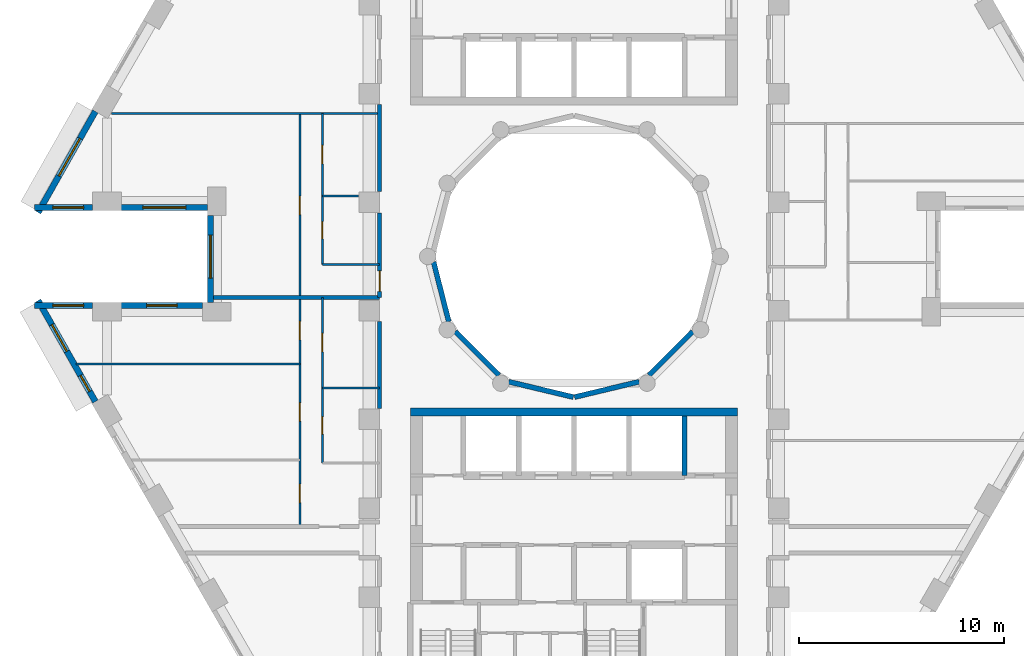
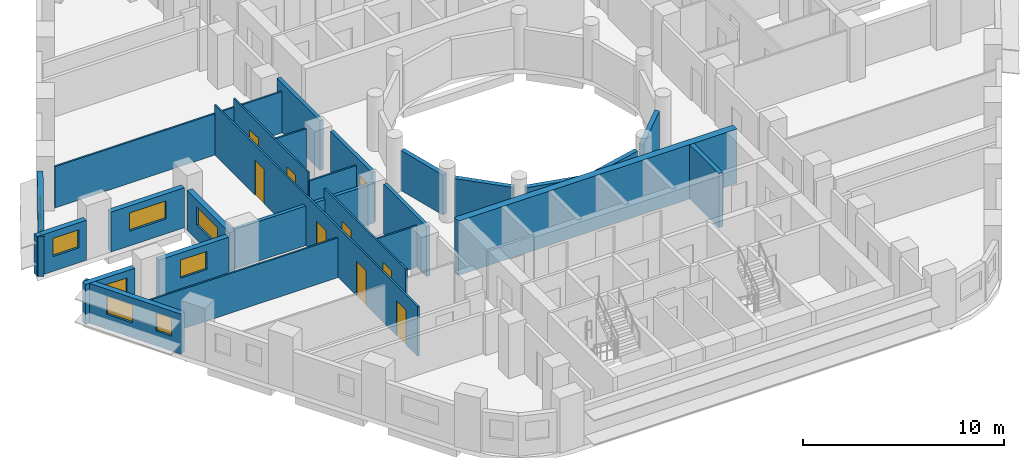
# One storey, part 4 of 12: 26 walls, 9 doors, 8 windows, 17 openings.
"""IFC4 building model written with IfcOpenShell, lengths in metres."""

from ifc_helpers import new_model, si_unit, direction, frame, frame_2d, origin, place, context, subcontext, project, spatial, rectangle, extrude, material, layer, layer_set, type_object, element, fill, save


model = new_model("IFC4")

# Units and contexts
model_context = context("Model", 3, precision=1e-05, world=origin(), true_north=direction((0.0, 1.0)))
body_context = subcontext(model_context, "Body", "Model", "MODEL_VIEW")
ifc_project = project(units=[si_unit("LENGTHUNIT", "METRE"), si_unit("AREAUNIT", "SQUARE_METRE"), si_unit("VOLUMEUNIT", "CUBIC_METRE"), si_unit("PLANEANGLEUNIT", "RADIAN"), si_unit("MASSUNIT", "GRAM", prefix="KILO")], contexts=[model_context])

# Site, building, storey
site_placement = place(None, origin())
site = spatial("IfcSite", under=ifc_project, at=site_placement, CompositionType="ELEMENT")
building_placement = place(site_placement, origin())
building = spatial("IfcBuilding", under=site, at=building_placement, Name="Nakaniwa Court", CompositionType="ELEMENT")
storey_placement = place(building_placement, frame((0.0, 0.0, 100.800048828125)))
storey = spatial("IfcBuildingStorey", under=building, at=storey_placement, Name="L26", CompositionType="ELEMENT", Elevation=100.800048828125)

# Wall
ifc_material_1 = material(Name="Acoustic double stud partition")
ifc_layer_1 = layer(ifc_material_1, 0.199951171875)
ifc_layer_set_1 = layer_set([ifc_layer_1], Name="Acoustic double stud partition")
wall_type_1 = type_object("IfcWallType", Name="Acoustic double stud partition 200", PredefinedType="PARTITIONING", material=ifc_layer_set_1)
wall_1_placement = place(storey_placement, frame((70.5, 72.56689453125, 0.0), z_axis=(0.0, 0.0, 1.0), x_axis=(0.0, 1.0, 0.0)))
element("IfcWall", 1, at=wall_1_placement, inside=storey, type_object=wall_type_1, Name="Partition PW-101", PredefinedType="PARTITIONING", context=body_context, shape_type="SweptSolid", body=[
    extrude(rectangle(XDim=4.26611328125, YDim=0.199951171875, at=frame_2d((2.133056640625, 0.0))), origin(), (0.0, 0.0, 1.0), 3.02490234375),
])

# Wall, opening, door
wall_2_placement = place(storey_placement, frame((70.5, 77.9970703125, 0.0), z_axis=(0.0, 0.0, 1.0), x_axis=(0.0, 1.0, 0.0)))
wall_2 = element("IfcWall", 2, at=wall_2_placement, inside=storey, type_object=wall_type_1, Name="Partition PW-102", PredefinedType="PARTITIONING", context=body_context, shape_type="SweptSolid", body=[
    extrude(rectangle(XDim=4.135986328125, YDim=0.199951171875, at=frame_2d((2.06787109375, 0.0))), origin(), (0.0, 0.0, 1.0), 3.02490234375),
])
opening_1_placement = place(wall_2_placement, frame((0.302978515625, 0.0, 0.0)))
opening_1 = element("IfcOpeningElement", 3, at=opening_1_placement, cuts=wall_2, Name="Opening D-01-03", PredefinedType="OPENING", context=body_context, shape_type="SweptSolid", body=[
    extrude(rectangle(XDim=1.0, YDim=2.10009765625, at=frame_2d((0.5, 1.050048828125))), frame((0.0, 0.10986328125, 0.0), z_axis=(0.0, -1.0, 0.0), x_axis=(1.0, 0.0, 0.0)), (0.0, 0.0, 1.0), 0.219970703125),
])
ifc_material_2 = material(Name="Solid core timber door set, black veneer", Category="wood")
door_type_1 = type_object("IfcDoorType", Name="Flat entrance door 1000", OperationType="NOTDEFINED", PredefinedType="DOOR", material=ifc_material_2)
door_1_placement = place(opening_1_placement, origin())
door_1 = element("IfcDoor", 4, at=door_1_placement, inside=storey, type_object=door_type_1, Name="Door D-01-03 L26-042", OperationType="SINGLE_SWING_LEFT", OverallHeight=2.10009765625, OverallWidth=1.0, PredefinedType="DOOR", context=body_context, shape_type="SweptSolid", body=[
    extrude(rectangle(XDim=1.0, YDim=2.10009765625, at=frame_2d((0.5, 1.050048828125))), frame((0.0, 0.02490234375, 0.0), z_axis=(0.0, -1.0, 0.0), x_axis=(1.0, 0.0, 0.0)), (0.0, 0.0, 1.0), 0.050048828125),
])
fill(opening_1, door_1)

# Walls
wall_3_placement = place(storey_placement, frame((70.5, 83.1669921875, 0.0), z_axis=(0.0, 0.0, 1.0), x_axis=(0.0, 1.0, 0.0)))
element("IfcWall", 5, at=wall_3_placement, inside=storey, type_object=wall_type_1, Name="Partition PW-103", PredefinedType="PARTITIONING", context=body_context, shape_type="SweptSolid", body=[
    extrude(rectangle(XDim=4.26611328125, YDim=0.199951171875, at=frame_2d((2.133056640625, 0.0))), origin(), (0.0, 0.0, 1.0), 3.02490234375),
])
wall_4_placement = place(storey_placement, frame((62.3916015625, 78.0, 0.0), z_axis=(0.0, 0.0, 1.0), x_axis=(1.0, 0.0, 0.0)))
element("IfcWall", 6, at=wall_4_placement, inside=storey, type_object=wall_type_1, Name="Partition PW-122", PredefinedType="PARTITIONING", context=body_context, shape_type="SweptSolid", body=[
    extrude(rectangle(XDim=8.1083984375, YDim=0.199951171875, at=frame_2d((4.05419921875, 0.0))), origin(), (0.0, 0.0, 1.0), 2.405029296875),
])

# Wall, opening, window
ifc_material_3 = material(Name="Charcoal ceramic cladding")
ifc_layer_2 = layer(ifc_material_3, 0.02, Name="Ceramic cladding")
ifc_material_4 = material(Name="Ventilated air cavity")
ifc_layer_3 = layer(ifc_material_4, 0.04, ventilated=True, Name="Ventilated cavity")
ifc_material_5 = material(Name="Mineral wool insulation")
ifc_layer_4 = layer(ifc_material_5, 0.1, Name="Insulation")
ifc_material_6 = material(Name="Cement bonded sheathing board")
ifc_layer_5 = layer(ifc_material_6, 0.012, Name="Sheathing")
ifc_material_7 = material(Name="Cold-formed galvanised stud frame with mineral wool infill")
ifc_layer_6 = layer(ifc_material_7, 0.1, Name="Stud frame")
ifc_material_8 = material(Name="Fire-rated gypsum plasterboard lining")
ifc_layer_7 = layer(ifc_material_8, 0.028, Name="Lining")
ifc_layer_set_2 = layer_set([ifc_layer_2, ifc_layer_3, ifc_layer_4, ifc_layer_5, ifc_layer_6, ifc_layer_7], Name="Charcoal ceramic faced external wall system")
wall_type_2 = type_object("IfcWallType", Name="Black ceramic faced external wall 300", PredefinedType="SOLIDWALL", material=ifc_layer_set_2)
wall_5_placement = place(storey_placement, frame((56.609375, 87.09375, 0.0), z_axis=(0.0, 0.0, 1.0), x_axis=(-0.492456858874, -0.870336855561, 0.0)))
wall_5 = element("IfcWall", 7, at=wall_5_placement, inside=storey, type_object=wall_type_2, Name="L26 external wall 14", PredefinedType="SOLIDWALL", context=body_context, shape_type="SweptSolid", body=[
    extrude(rectangle(XDim=5.676513671875, YDim=0.300048828125, at=frame_2d((2.83837890625, 0.0))), origin(), (0.0, 0.0, 1.0), 2.425048828125),
])
opening_2_placement = place(wall_5_placement, frame((1.52490234375, 0.0, 0.89990234375)))
opening_2 = element("IfcOpeningElement", 8, at=opening_2_placement, cuts=wall_5, Name="Opening W7.15", PredefinedType="OPENING", context=body_context, shape_type="SweptSolid", body=[
    extrude(rectangle(XDim=2.10009765625, YDim=1.10009765625, at=frame_2d((1.050048828125, 0.550048828125))), frame((0.0, 0.159912109375, 0.0), z_axis=(0.0, -1.0, 0.0), x_axis=(1.0, 0.0, 0.0)), (0.0, 0.0, 1.0), 0.320068359375),
])
ifc_material_9 = material(Name="Black anodised aluminium frame with dark low-E laminated double glazing", Category="aluminium")
window_type_1 = type_object("IfcWindowType", Name="Dark glass window 2100x1100 sill 900", PartitioningType="SINGLE_PANEL", PredefinedType="WINDOW", material=ifc_material_9)
window_1_placement = place(opening_2_placement, origin())
window_1 = element("IfcWindow", 9, at=window_1_placement, inside=storey, type_object=window_type_1, Name="L26 living window 14-0", OverallHeight=1.10009765625, OverallWidth=2.10009765625, PartitioningType="SINGLE_PANEL", PredefinedType="WINDOW", context=body_context, shape_type="SweptSolid", body=[
    extrude(rectangle(XDim=2.10009765625, YDim=1.10009765625, at=frame_2d((1.050048828125, 0.550048828125))), frame((0.0, 0.030029296875, 0.0), z_axis=(0.0, -1.0, 0.0), x_axis=(1.0, 0.0, 0.0)), (0.0, 0.0, 1.0), 0.06005859375),
])
fill(opening_2, window_1)

wall_6_placement = place(storey_placement, frame((53.643310546875, 82.39990234375, 0.0), z_axis=(0.0, 0.0, 1.0), x_axis=(1.0, 0.0, 0.0)))
wall_6 = element("IfcWall", 10, at=wall_6_placement, inside=storey, type_object=wall_type_2, Name="L26 external wall 15", PredefinedType="SOLIDWALL", context=body_context, shape_type="SweptSolid", body=[
    extrude(rectangle(XDim=2.837890625, YDim=0.300048828125, at=frame_2d((1.4189453125, 0.0))), origin(), (0.0, 0.0, 1.0), 2.425048828125),
])
opening_3_placement = place(wall_6_placement, frame((0.893798828125, 0.0, 0.89990234375)))
opening_3 = element("IfcOpeningElement", 11, at=opening_3_placement, cuts=wall_6, Name="Opening W5.16", PredefinedType="OPENING", context=body_context, shape_type="SweptSolid", body=[
    extrude(rectangle(XDim=1.5, YDim=1.10009765625, at=frame_2d((0.75, 0.550048828125))), frame((0.0, 0.159912109375, 0.0), z_axis=(0.0, -1.0, 0.0), x_axis=(1.0, 0.0, 0.0)), (0.0, 0.0, 1.0), 0.320068359375),
])
window_type_2 = type_object("IfcWindowType", Name="Dark glass window 1500x1100 sill 900", PartitioningType="SINGLE_PANEL", PredefinedType="WINDOW", material=ifc_material_9)
window_2_placement = place(opening_3_placement, origin())
window_2 = element("IfcWindow", 12, at=window_2_placement, inside=storey, type_object=window_type_2, Name="L26 living window 15-0", OverallHeight=1.10009765625, OverallWidth=1.5, PartitioningType="SINGLE_PANEL", PredefinedType="WINDOW", context=body_context, shape_type="SweptSolid", body=[
    extrude(rectangle(XDim=1.5, YDim=1.10009765625, at=frame_2d((0.75, 0.550048828125))), frame((0.0, 0.030029296875, 0.0), z_axis=(0.0, -1.0, 0.0), x_axis=(1.0, 0.0, 0.0)), (0.0, 0.0, 1.0), 0.06005859375),
])
fill(opening_3, window_2)

wall_7_placement = place(storey_placement, frame((57.873046875, 82.39990234375, 0.0), z_axis=(0.0, 0.0, 1.0), x_axis=(1.0, 0.0, 0.0)))
wall_7 = element("IfcWall", 13, at=wall_7_placement, inside=storey, type_object=wall_type_2, Name="L26 external wall 16", PredefinedType="SOLIDWALL", context=body_context, shape_type="SweptSolid", body=[
    extrude(rectangle(XDim=4.22265625, YDim=0.300048828125, at=frame_2d((2.111328125, 0.0))), origin(), (0.0, 0.0, 1.0), 2.425048828125),
])
opening_4_placement = place(wall_7_placement, frame((1.061279296875, 0.0, 0.89990234375)))
opening_4 = element("IfcOpeningElement", 14, at=opening_4_placement, cuts=wall_7, Name="Opening W7.17", PredefinedType="OPENING", context=body_context, shape_type="SweptSolid", body=[
    extrude(rectangle(XDim=2.10009765625, YDim=1.10009765625, at=frame_2d((1.050048828125, 0.550048828125))), frame((0.0, 0.159912109375, 0.0), z_axis=(0.0, -1.0, 0.0), x_axis=(1.0, 0.0, 0.0)), (0.0, 0.0, 1.0), 0.320068359375),
])
window_3_placement = place(opening_4_placement, origin())
window_3 = element("IfcWindow", 15, at=window_3_placement, inside=storey, type_object=window_type_1, Name="L26 living window 16-0", OverallHeight=1.10009765625, OverallWidth=2.10009765625, PartitioningType="SINGLE_PANEL", PredefinedType="WINDOW", context=body_context, shape_type="SweptSolid", body=[
    extrude(rectangle(XDim=2.10009765625, YDim=1.10009765625, at=frame_2d((1.050048828125, 0.550048828125))), frame((0.0, 0.030029296875, 0.0), z_axis=(0.0, -1.0, 0.0), x_axis=(1.0, 0.0, 0.0)), (0.0, 0.0, 1.0), 0.06005859375),
])
fill(opening_4, window_3)

wall_8_placement = place(storey_placement, frame((62.24169921875, 82.00390625, 0.0), z_axis=(0.0, 0.0, 1.0), x_axis=(0.0, -1.0, 0.0)))
wall_8 = element("IfcWall", 16, at=wall_8_placement, inside=storey, type_object=wall_type_2, Name="L26 external wall 17", PredefinedType="SOLIDWALL", context=body_context, shape_type="SweptSolid", body=[
    extrude(rectangle(XDim=4.2578125, YDim=0.300048828125, at=frame_2d((2.12890625, 0.0))), origin(), (0.0, 0.0, 1.0), 2.425048828125),
])
opening_5_placement = place(wall_8_placement, frame((0.964111328125, 0.0, 0.89990234375)))
opening_5 = element("IfcOpeningElement", 17, at=opening_5_placement, cuts=wall_8, Name="Opening W7.18", PredefinedType="OPENING", context=body_context, shape_type="SweptSolid", body=[
    extrude(rectangle(XDim=2.10009765625, YDim=1.10009765625, at=frame_2d((1.050048828125, 0.550048828125))), frame((0.0, 0.159912109375, 0.0), z_axis=(0.0, -1.0, 0.0), x_axis=(1.0, 0.0, 0.0)), (0.0, 0.0, 1.0), 0.320068359375),
])
window_4_placement = place(opening_5_placement, origin())
window_4 = element("IfcWindow", 18, at=window_4_placement, inside=storey, type_object=window_type_1, Name="L26 living window 17-0", OverallHeight=1.10009765625, OverallWidth=2.10009765625, PartitioningType="SINGLE_PANEL", PredefinedType="WINDOW", context=body_context, shape_type="SweptSolid", body=[
    extrude(rectangle(XDim=2.10009765625, YDim=1.10009765625, at=frame_2d((1.050048828125, 0.550048828125))), frame((0.0, 0.030029296875, 0.0), z_axis=(0.0, -1.0, 0.0), x_axis=(1.0, 0.0, 0.0)), (0.0, 0.0, 1.0), 0.06005859375),
])
fill(opening_5, window_4)

wall_9_placement = place(storey_placement, frame((61.845703125, 77.60009765625, 0.0), z_axis=(0.0, 0.0, 1.0), x_axis=(-1.0, 0.0, 0.0)))
wall_9 = element("IfcWall", 19, at=wall_9_placement, inside=storey, type_object=wall_type_2, Name="L26 external wall 18", PredefinedType="SOLIDWALL", context=body_context, shape_type="SweptSolid", body=[
    extrude(rectangle(XDim=3.97265625, YDim=0.300048828125, at=frame_2d((1.986328125, 0.0))), origin(), (0.0, 0.0, 1.0), 2.425048828125),
])
opening_6_placement = place(wall_9_placement, frame((1.236328125, 0.0, 0.89990234375)))
opening_6 = element("IfcOpeningElement", 20, at=opening_6_placement, cuts=wall_9, Name="Opening W5.19", PredefinedType="OPENING", context=body_context, shape_type="SweptSolid", body=[
    extrude(rectangle(XDim=1.5, YDim=1.10009765625, at=frame_2d((0.75, 0.550048828125))), frame((0.0, 0.159912109375, 0.0), z_axis=(0.0, -1.0, 0.0), x_axis=(1.0, 0.0, 0.0)), (0.0, 0.0, 1.0), 0.320068359375),
])
window_5_placement = place(opening_6_placement, origin())
window_5 = element("IfcWindow", 21, at=window_5_placement, inside=storey, type_object=window_type_2, Name="L26 bedroom window 18-0", OverallHeight=1.10009765625, OverallWidth=1.5, PartitioningType="SINGLE_PANEL", PredefinedType="WINDOW", context=body_context, shape_type="SweptSolid", body=[
    extrude(rectangle(XDim=1.5, YDim=1.10009765625, at=frame_2d((0.75, 0.550048828125))), frame((0.0, 0.030029296875, 0.0), z_axis=(0.0, -1.0, 0.0), x_axis=(1.0, 0.0, 0.0)), (0.0, 0.0, 1.0), 0.06005859375),
])
fill(opening_6, window_5)

wall_10_placement = place(storey_placement, frame((56.481201171875, 77.60009765625, 0.0), z_axis=(0.0, 0.0, 1.0), x_axis=(-1.0, 0.0, 0.0)))
wall_10 = element("IfcWall", 22, at=wall_10_placement, inside=storey, type_object=wall_type_2, Name="L26 external wall 19", PredefinedType="SOLIDWALL", context=body_context, shape_type="SweptSolid", body=[
    extrude(rectangle(XDim=2.837890625, YDim=0.300048828125, at=frame_2d((1.4189453125, 0.0))), origin(), (0.0, 0.0, 1.0), 2.425048828125),
])
opening_7_placement = place(wall_10_placement, frame((0.44384765625, 0.0, 0.89990234375)))
opening_7 = element("IfcOpeningElement", 23, at=opening_7_placement, cuts=wall_10, Name="Opening W5.20", PredefinedType="OPENING", context=body_context, shape_type="SweptSolid", body=[
    extrude(rectangle(XDim=1.5, YDim=1.10009765625, at=frame_2d((0.75, 0.550048828125))), frame((0.0, 0.159912109375, 0.0), z_axis=(0.0, -1.0, 0.0), x_axis=(1.0, 0.0, 0.0)), (0.0, 0.0, 1.0), 0.320068359375),
])
window_6_placement = place(opening_7_placement, origin())
window_6 = element("IfcWindow", 24, at=window_6_placement, inside=storey, type_object=window_type_2, Name="L26 bedroom window 19-0", OverallHeight=1.10009765625, OverallWidth=1.5, PartitioningType="SINGLE_PANEL", PredefinedType="WINDOW", context=body_context, shape_type="SweptSolid", body=[
    extrude(rectangle(XDim=1.5, YDim=1.10009765625, at=frame_2d((0.75, 0.550048828125))), frame((0.0, 0.030029296875, 0.0), z_axis=(0.0, -1.0, 0.0), x_axis=(1.0, 0.0, 0.0)), (0.0, 0.0, 1.0), 0.06005859375),
])
fill(opening_7, window_6)

# Wall, openings, windows
wall_11_placement = place(storey_placement, frame((53.81396484375, 77.8466796875, 0.0), z_axis=(0.0, 0.0, 1.0), x_axis=(0.492456858874, -0.870336855561, 0.0)))
wall_11 = element("IfcWall", 25, at=wall_11_placement, inside=storey, type_object=wall_type_2, Name="L26 external wall 20", PredefinedType="SOLIDWALL", context=body_context, shape_type="SweptSolid", body=[
    extrude(rectangle(XDim=5.676513671875, YDim=0.300048828125, at=frame_2d((2.83837890625, 0.0))), origin(), (0.0, 0.0, 1.0), 2.425048828125),
])
opening_8_placement = place(wall_11_placement, frame((1.35400390625, 0.0, 0.89990234375)))
opening_8 = element("IfcOpeningElement", 26, at=opening_8_placement, cuts=wall_11, Name="Opening W5.21", PredefinedType="OPENING", context=body_context, shape_type="SweptSolid", body=[
    extrude(rectangle(XDim=1.5, YDim=1.10009765625, at=frame_2d((0.75, 0.550048828125))), frame((0.0, 0.159912109375, 0.0), z_axis=(0.0, -1.0, 0.0), x_axis=(1.0, 0.0, 0.0)), (0.0, 0.0, 1.0), 0.320068359375),
])
opening_9_placement = place(wall_11_placement, frame((4.203369140625, 0.0, 0.89990234375)))
opening_9 = element("IfcOpeningElement", 27, at=opening_9_placement, cuts=wall_11, Name="Opening W9.22", PredefinedType="OPENING", context=body_context, shape_type="SweptSolid", body=[
    extrude(rectangle(XDim=0.89990234375, YDim=1.10009765625, at=frame_2d((0.449951171875, 0.550048828125))), frame((0.0, 0.159912109375, 0.0), z_axis=(0.0, -1.0, 0.0), x_axis=(1.0, 0.0, 0.0)), (0.0, 0.0, 1.0), 0.320068359375),
])
window_7_placement = place(opening_8_placement, origin())
window_7 = element("IfcWindow", 28, at=window_7_placement, inside=storey, type_object=window_type_2, Name="L26 bedroom window 20-0", OverallHeight=1.10009765625, OverallWidth=1.5, PartitioningType="SINGLE_PANEL", PredefinedType="WINDOW", context=body_context, shape_type="SweptSolid", body=[
    extrude(rectangle(XDim=1.5, YDim=1.10009765625, at=frame_2d((0.75, 0.550048828125))), frame((0.0, 0.030029296875, 0.0), z_axis=(0.0, -1.0, 0.0), x_axis=(1.0, 0.0, 0.0)), (0.0, 0.0, 1.0), 0.06005859375),
])
fill(opening_8, window_7)
window_type_3 = type_object("IfcWindowType", Name="Dark glass window 900x1100 sill 900", PartitioningType="SINGLE_PANEL", PredefinedType="WINDOW", material=ifc_material_9)
window_8_placement = place(opening_9_placement, origin())
window_8 = element("IfcWindow", 29, at=window_8_placement, inside=storey, type_object=window_type_3, Name="L26 living window 20-1", OverallHeight=1.10009765625, OverallWidth=0.89990234375, PartitioningType="SINGLE_PANEL", PredefinedType="WINDOW", context=body_context, shape_type="SweptSolid", body=[
    extrude(rectangle(XDim=0.89990234375, YDim=1.10009765625, at=frame_2d((0.449951171875, 0.550048828125))), frame((0.0, 0.030029296875, 0.0), z_axis=(0.0, -1.0, 0.0), x_axis=(1.0, 0.0, 0.0)), (0.0, 0.0, 1.0), 0.06005859375),
])
fill(opening_9, window_8)

# Walls
ifc_layer_8 = layer(ifc_material_3, 0.02, Name="Ceramic cladding")
ifc_layer_9 = layer(ifc_material_4, 0.04, ventilated=True, Name="Ventilated cavity")
ifc_layer_10 = layer(ifc_material_5, 0.075, Name="Insulation")
ifc_layer_11 = layer(ifc_material_6, 0.012, Name="Sheathing")
ifc_layer_12 = layer(ifc_material_7, 0.075, Name="Stud frame")
ifc_layer_13 = layer(ifc_material_8, 0.028, Name="Lining")
ifc_layer_set_3 = layer_set([ifc_layer_8, ifc_layer_9, ifc_layer_10, ifc_layer_11, ifc_layer_12, ifc_layer_13], Name="Charcoal ceramic faced external wall system")
wall_type_3 = type_object("IfcWallType", Name="Charcoal ceramic faced well wall 250", PredefinedType="SOLIDWALL", material=ifc_layer_set_3)
wall_12_placement = place(storey_placement, frame((85.8056640625, 76.339111328125, 0.0), z_axis=(0.0, 0.0, 1.0), x_axis=(-0.707106781187, -0.707106781187, 0.0)))
element("IfcWall", 30, at=wall_12_placement, inside=storey, type_object=wall_type_3, Name="L26 external wall 37", PredefinedType="SOLIDWALL", context=body_context, shape_type="SweptSolid", body=[
    extrude(rectangle(XDim=3.033203125, YDim=0.25, at=frame_2d((1.5166015625, 0.0))), origin(), (0.0, 0.0, 1.0), 2.425048828125),
])
for number, where, z_axis, x_axis, name in (
    (31, (83.186279296875, 73.880615234375, 0.0), (0.0, 0.0, 1.0), (-0.972773113459, -0.231759508395, 0.0), "L26 external wall 38"),
    (32, (79.970947265625, 73.12841796875, 0.0), (0.0, 0.0, 1.0), (-0.972773113459, 0.231759508395, 0.0), "L26 external wall 39"),
):
    element("IfcWall", number, at=place(storey_placement, frame(where, z_axis=z_axis, x_axis=x_axis)), inside=storey, type_object=wall_type_3, Name=name, PredefinedType="SOLIDWALL", context=body_context, shape_type="SweptSolid", body=[
        extrude(rectangle(XDim=3.24560546875, YDim=0.25, at=frame_2d((1.622802734375, 0.0))), origin(), (0.0, 0.0, 1.0), 2.425048828125),
    ])
wall_13_placement = place(storey_placement, frame((76.339111328125, 74.1943359375, 0.0), z_axis=(0.0, 0.0, 1.0), x_axis=(-0.707106781187, 0.707106781187, 0.0)))
element("IfcWall", 33, at=wall_13_placement, inside=storey, type_object=wall_type_3, Name="L26 external wall 40", PredefinedType="SOLIDWALL", context=body_context, shape_type="SweptSolid", body=[
    extrude(rectangle(XDim=3.033203125, YDim=0.25, at=frame_2d((1.5166015625, 0.0))), origin(), (0.0, 0.0, 1.0), 2.425048828125),
])
wall_14_placement = place(storey_placement, frame((73.88330078125, 76.813232421875, 0.0), z_axis=(0.0, 0.0, 1.0), x_axis=(-0.247055971283, 0.969001211069, 0.0)))
element("IfcWall", 34, at=wall_14_placement, inside=storey, type_object=wall_type_3, Name="L26 external wall 41", PredefinedType="SOLIDWALL", context=body_context, shape_type="SweptSolid", body=[
    extrude(rectangle(XDim=3.010009765625, YDim=0.25, at=frame_2d((1.5048828125, 0.0))), origin(), (0.0, 0.0, 1.0), 2.425048828125),
])
ifc_material_10 = material(Name="Concrete C80/100", Category="concrete")
ifc_layer_14 = layer(ifc_material_10, 0.39990234375)
ifc_layer_set_4 = layer_set([ifc_layer_14], Name="Concrete C80/100")
wall_type_4 = type_object("IfcWallType", Name="Concrete core well wall 400 C80", PredefinedType="SHEAR", material=ifc_layer_set_4)
wall_15_placement = place(storey_placement, frame((72.00390625, 72.39990234375, -0.275146484375), z_axis=(0.0, 0.0, 1.0), x_axis=(1.0, 0.0, 0.0)))
element("IfcWall", 35, at=wall_15_placement, inside=storey, type_object=wall_type_4, Name="Core wall SW-131", PredefinedType="SHEAR", context=body_context, shape_type="SweptSolid", body=[
    extrude(rectangle(XDim=15.9921875, YDim=0.39990234375, at=frame_2d((7.99609375, 0.0))), origin(), (0.0, 0.0, 1.0), 3.300048828125),
])
ifc_layer_15 = layer(ifc_material_10, 0.25)
ifc_layer_set_5 = layer_set([ifc_layer_15], Name="Concrete C80/100")
wall_type_5 = type_object("IfcWallType", Name="Concrete shaft wall 250 C80", PredefinedType="SHEAR", material=ifc_layer_set_5)
wall_16_placement = place(storey_placement, frame((85.39990234375, 69.300048828125, -0.275146484375), z_axis=(0.0, 0.0, 1.0), x_axis=(0.0, 1.0, 0.0)))
element("IfcWall", 36, at=wall_16_placement, inside=storey, type_object=wall_type_5, Name="Core wall SW-47", PredefinedType="SHEAR", context=body_context, shape_type="SweptSolid", body=[
    extrude(rectangle(XDim=2.89990234375, YDim=0.25, at=frame_2d((1.449951171875, 0.0))), origin(), (0.0, 0.0, 1.0), 3.300048828125),
])
ifc_material_11 = material(Name="Single stud plasterboard partition")
ifc_layer_16 = layer(ifc_material_11, 0.10009765625)
ifc_layer_set_6 = layer_set([ifc_layer_16], Name="Single stud plasterboard partition")
wall_type_6 = type_object("IfcWallType", Name="Single stud plasterboard partition 100", PredefinedType="PARTITIONING", material=ifc_layer_set_6)
wall_17_placement = place(storey_placement, frame((67.699951171875, 73.58203125, 0.0), z_axis=(0.0, 0.0, 1.0), x_axis=(1.0, 0.0, 0.0)))
element("IfcWall", 37, at=wall_17_placement, inside=storey, type_object=wall_type_6, Name="Partition PW-118", PredefinedType="PARTITIONING", context=body_context, shape_type="SweptSolid", body=[
    extrude(rectangle(XDim=2.800048828125, YDim=0.10009765625, at=frame_2d((1.39990234375, 0.0))), origin(), (0.0, 0.0, 1.0), 2.5048828125),
])

# Wall, openings, doors
wall_18_placement = place(storey_placement, frame((67.699951171875, 78.0, 0.0), z_axis=(0.0, 0.0, 1.0), x_axis=(0.0, -1.0, 0.0)))
wall_18 = element("IfcWall", 38, at=wall_18_placement, inside=storey, type_object=wall_type_6, Name="Partition PW-120", PredefinedType="PARTITIONING", context=body_context, shape_type="SweptSolid", body=[
    extrude(rectangle(XDim=8.10009765625, YDim=0.10009765625, at=frame_2d((4.050048828125, 0.0))), origin(), (0.0, 0.0, 1.0), 3.02490234375),
])
opening_10_placement = place(wall_18_placement, frame((5.833984375, 0.0, 0.0)))
opening_10 = element("IfcOpeningElement", 39, at=opening_10_placement, cuts=wall_18, Name="Opening D-03-02", PredefinedType="OPENING", context=body_context, shape_type="SweptSolid", body=[
    extrude(rectangle(XDim=0.85009765625, YDim=2.10009765625, at=frame_2d((0.425048828125, 1.050048828125))), frame((0.0, 0.06005859375, 0.0), z_axis=(0.0, -1.0, 0.0), x_axis=(1.0, 0.0, 0.0)), (0.0, 0.0, 1.0), 0.1201171875),
])
opening_11_placement = place(wall_18_placement, frame((1.759033203125, 0.0, 0.0)))
opening_11 = element("IfcOpeningElement", 40, at=opening_11_placement, cuts=wall_18, Name="Opening D-33-05", PredefinedType="OPENING", context=body_context, shape_type="SweptSolid", body=[
    extrude(rectangle(XDim=0.89990234375, YDim=2.10009765625, at=frame_2d((0.449951171875, 1.050048828125))), frame((0.0, 0.06005859375, 0.0), z_axis=(0.0, -1.0, 0.0), x_axis=(1.0, 0.0, 0.0)), (0.0, 0.0, 1.0), 0.1201171875),
])
ifc_material_12 = material(Name="Moisture sealed timber door set", Category="wood")
door_type_2 = type_object("IfcDoorType", Name="Bathroom door 850", OperationType="NOTDEFINED", PredefinedType="DOOR", material=ifc_material_12)
door_2_placement = place(opening_10_placement, origin())
door_2 = element("IfcDoor", 41, at=door_2_placement, inside=storey, type_object=door_type_2, Name="Door D-03-02 L26-037", OperationType="SINGLE_SWING_RIGHT", OverallHeight=2.10009765625, OverallWidth=0.85009765625, PredefinedType="DOOR", context=body_context, shape_type="SweptSolid", body=[
    extrude(rectangle(XDim=0.85009765625, YDim=2.10009765625, at=frame_2d((0.425048828125, 1.050048828125))), frame((0.0, 0.02490234375, 0.0), z_axis=(0.0, -1.0, 0.0), x_axis=(1.0, 0.0, 0.0)), (0.0, 0.0, 1.0), 0.050048828125),
])
fill(opening_10, door_2)
door_type_3 = type_object("IfcDoorType", Name="Internal door 900", OperationType="NOTDEFINED", PredefinedType="DOOR", material=ifc_material_2)
door_3_placement = place(opening_11_placement, origin())
door_3 = element("IfcDoor", 42, at=door_3_placement, inside=storey, type_object=door_type_3, Name="Door D-33-05 L26-038", OperationType="SINGLE_SWING_LEFT", OverallHeight=2.10009765625, OverallWidth=0.89990234375, PredefinedType="DOOR", context=body_context, shape_type="SweptSolid", body=[
    extrude(rectangle(XDim=0.89990234375, YDim=2.10009765625, at=frame_2d((0.449951171875, 1.050048828125))), frame((0.0, 0.02490234375, 0.0), z_axis=(0.0, -1.0, 0.0), x_axis=(1.0, 0.0, 0.0)), (0.0, 0.0, 1.0), 0.050048828125),
])
fill(opening_11, door_3)

wall_19_placement = place(storey_placement, frame((67.699951171875, 87.0, 0.0), z_axis=(0.0, 0.0, 1.0), x_axis=(0.0, -1.0, 0.0)))
wall_19 = element("IfcWall", 43, at=wall_19_placement, inside=storey, type_object=wall_type_6, Name="Partition PW-121", PredefinedType="PARTITIONING", context=body_context, shape_type="SweptSolid", body=[
    extrude(rectangle(XDim=7.39990234375, YDim=0.10009765625, at=frame_2d((3.699951171875, 0.0))), origin(), (0.0, 0.0, 1.0), 3.02490234375),
])
opening_12_placement = place(wall_19_placement, frame((5.29296875, 0.0, 0.0)))
opening_12 = element("IfcOpeningElement", 44, at=opening_12_placement, cuts=wall_19, Name="Opening D-03-03", PredefinedType="OPENING", context=body_context, shape_type="SweptSolid", body=[
    extrude(rectangle(XDim=0.85009765625, YDim=2.10009765625, at=frame_2d((0.425048828125, 1.050048828125))), frame((0.0, 0.06005859375, 0.0), z_axis=(0.0, -1.0, 0.0), x_axis=(1.0, 0.0, 0.0)), (0.0, 0.0, 1.0), 0.1201171875),
])
opening_13_placement = place(wall_19_placement, frame((1.568115234375, 0.0, 0.0)))
opening_13 = element("IfcOpeningElement", 45, at=opening_13_placement, cuts=wall_19, Name="Opening D-33-09", PredefinedType="OPENING", context=body_context, shape_type="SweptSolid", body=[
    extrude(rectangle(XDim=0.89990234375, YDim=2.10009765625, at=frame_2d((0.449951171875, 1.050048828125))), frame((0.0, 0.06005859375, 0.0), z_axis=(0.0, -1.0, 0.0), x_axis=(1.0, 0.0, 0.0)), (0.0, 0.0, 1.0), 0.1201171875),
])
door_4_placement = place(opening_12_placement, origin())
door_4 = element("IfcDoor", 46, at=door_4_placement, inside=storey, type_object=door_type_2, Name="Door D-03-03 L26-043", OperationType="SINGLE_SWING_RIGHT", OverallHeight=2.10009765625, OverallWidth=0.85009765625, PredefinedType="DOOR", context=body_context, shape_type="SweptSolid", body=[
    extrude(rectangle(XDim=0.85009765625, YDim=2.10009765625, at=frame_2d((0.425048828125, 1.050048828125))), frame((0.0, 0.02490234375, 0.0), z_axis=(0.0, -1.0, 0.0), x_axis=(1.0, 0.0, 0.0)), (0.0, 0.0, 1.0), 0.050048828125),
])
fill(opening_12, door_4)
door_5_placement = place(opening_13_placement, origin())
door_5 = element("IfcDoor", 47, at=door_5_placement, inside=storey, type_object=door_type_3, Name="Door D-33-09 L26-044", OperationType="SINGLE_SWING_LEFT", OverallHeight=2.10009765625, OverallWidth=0.89990234375, PredefinedType="DOOR", context=body_context, shape_type="SweptSolid", body=[
    extrude(rectangle(XDim=0.89990234375, YDim=2.10009765625, at=frame_2d((0.449951171875, 1.050048828125))), frame((0.0, 0.02490234375, 0.0), z_axis=(0.0, -1.0, 0.0), x_axis=(1.0, 0.0, 0.0)), (0.0, 0.0, 1.0), 0.050048828125),
])
fill(opening_13, door_5)

wall_20_placement = place(storey_placement, frame((66.60009765625, 66.800048828125, 0.0), z_axis=(0.0, 0.0, 1.0), x_axis=(0.0, 1.0, 0.0)))
wall_20 = element("IfcWall", 48, at=wall_20_placement, inside=storey, type_object=wall_type_6, Name="Partition PW-123", PredefinedType="PARTITIONING", context=body_context, shape_type="SweptSolid", body=[
    extrude(rectangle(XDim=20.199951171875, YDim=0.10009765625, at=frame_2d((10.10009765625, 0.0))), origin(), (0.0, 0.0, 1.0), 3.02490234375),
])
opening_14_placement = place(wall_20_placement, frame((1.176025390625, 0.0, 0.0)))
opening_14 = element("IfcOpeningElement", 49, at=opening_14_placement, cuts=wall_20, Name="Opening D-33-06", PredefinedType="OPENING", context=body_context, shape_type="SweptSolid", body=[
    extrude(rectangle(XDim=0.89990234375, YDim=2.10009765625, at=frame_2d((0.449951171875, 1.050048828125))), frame((0.0, 0.06005859375, 0.0), z_axis=(0.0, -1.0, 0.0), x_axis=(1.0, 0.0, 0.0)), (0.0, 0.0, 1.0), 0.1201171875),
])
opening_15_placement = place(wall_20_placement, frame((5.14990234375, 0.0, 0.0)))
opening_15 = element("IfcOpeningElement", 50, at=opening_15_placement, cuts=wall_20, Name="Opening D-33-07", PredefinedType="OPENING", context=body_context, shape_type="SweptSolid", body=[
    extrude(rectangle(XDim=0.89990234375, YDim=2.10009765625, at=frame_2d((0.449951171875, 1.050048828125))), frame((0.0, 0.06005859375, 0.0), z_axis=(0.0, -1.0, 0.0), x_axis=(1.0, 0.0, 0.0)), (0.0, 0.0, 1.0), 0.1201171875),
])
opening_16_placement = place(wall_20_placement, frame((9.1240234375, 0.0, 0.0)))
opening_16 = element("IfcOpeningElement", 51, at=opening_16_placement, cuts=wall_20, Name="Opening D-33-08", PredefinedType="OPENING", context=body_context, shape_type="SweptSolid", body=[
    extrude(rectangle(XDim=0.89990234375, YDim=2.10009765625, at=frame_2d((0.449951171875, 1.050048828125))), frame((0.0, 0.06005859375, 0.0), z_axis=(0.0, -1.0, 0.0), x_axis=(1.0, 0.0, 0.0)), (0.0, 0.0, 1.0), 0.1201171875),
])
opening_17_placement = place(wall_20_placement, frame((15.25, 0.0, 0.0)))
opening_17 = element("IfcOpeningElement", 52, at=opening_17_placement, cuts=wall_20, Name="Opening D-33-10", PredefinedType="OPENING", context=body_context, shape_type="SweptSolid", body=[
    extrude(rectangle(XDim=0.89990234375, YDim=2.10009765625, at=frame_2d((0.449951171875, 1.050048828125))), frame((0.0, 0.06005859375, 0.0), z_axis=(0.0, -1.0, 0.0), x_axis=(1.0, 0.0, 0.0)), (0.0, 0.0, 1.0), 0.1201171875),
])
door_6_placement = place(opening_14_placement, origin())
door_6 = element("IfcDoor", 53, at=door_6_placement, inside=storey, type_object=door_type_3, Name="Door D-33-06 L26-039", OperationType="SINGLE_SWING_RIGHT", OverallHeight=2.10009765625, OverallWidth=0.89990234375, PredefinedType="DOOR", context=body_context, shape_type="SweptSolid", body=[
    extrude(rectangle(XDim=0.89990234375, YDim=2.10009765625, at=frame_2d((0.449951171875, 1.050048828125))), frame((0.0, 0.02490234375, 0.0), z_axis=(0.0, -1.0, 0.0), x_axis=(1.0, 0.0, 0.0)), (0.0, 0.0, 1.0), 0.050048828125),
])
fill(opening_14, door_6)
door_7_placement = place(opening_15_placement, origin())
door_7 = element("IfcDoor", 54, at=door_7_placement, inside=storey, type_object=door_type_3, Name="Door D-33-07 L26-040", OperationType="SINGLE_SWING_LEFT", OverallHeight=2.10009765625, OverallWidth=0.89990234375, PredefinedType="DOOR", context=body_context, shape_type="SweptSolid", body=[
    extrude(rectangle(XDim=0.89990234375, YDim=2.10009765625, at=frame_2d((0.449951171875, 1.050048828125))), frame((0.0, 0.02490234375, 0.0), z_axis=(0.0, -1.0, 0.0), x_axis=(1.0, 0.0, 0.0)), (0.0, 0.0, 1.0), 0.050048828125),
])
fill(opening_15, door_7)
door_8_placement = place(opening_16_placement, origin())
door_8 = element("IfcDoor", 55, at=door_8_placement, inside=storey, type_object=door_type_3, Name="Door D-33-08 L26-041", OperationType="SINGLE_SWING_RIGHT", OverallHeight=2.10009765625, OverallWidth=0.89990234375, PredefinedType="DOOR", context=body_context, shape_type="SweptSolid", body=[
    extrude(rectangle(XDim=0.89990234375, YDim=2.10009765625, at=frame_2d((0.449951171875, 1.050048828125))), frame((0.0, 0.02490234375, 0.0), z_axis=(0.0, -1.0, 0.0), x_axis=(1.0, 0.0, 0.0)), (0.0, 0.0, 1.0), 0.050048828125),
])
fill(opening_16, door_8)
door_9_placement = place(opening_17_placement, origin())
door_9 = element("IfcDoor", 56, at=door_9_placement, inside=storey, type_object=door_type_3, Name="Door D-33-10 L26-045", OperationType="SINGLE_SWING_RIGHT", OverallHeight=2.10009765625, OverallWidth=0.89990234375, PredefinedType="DOOR", context=body_context, shape_type="SweptSolid", body=[
    extrude(rectangle(XDim=0.89990234375, YDim=2.10009765625, at=frame_2d((0.449951171875, 1.050048828125))), frame((0.0, 0.02490234375, 0.0), z_axis=(0.0, -1.0, 0.0), x_axis=(1.0, 0.0, 0.0)), (0.0, 0.0, 1.0), 0.050048828125),
])
fill(opening_17, door_9)

# Walls
wall_21_placement = place(storey_placement, frame((55.66552734375, 74.748046875, 0.0), z_axis=(0.0, 0.0, 1.0), x_axis=(1.0, 0.0, 0.0)))
element("IfcWall", 57, at=wall_21_placement, inside=storey, type_object=wall_type_6, Name="Partition PW-125", PredefinedType="PARTITIONING", context=body_context, shape_type="SweptSolid", body=[
    extrude(rectangle(XDim=10.9345703125, YDim=0.10009765625, at=frame_2d((5.46728515625, 0.0))), origin(), (0.0, 0.0, 1.0), 2.405029296875),
])
wall_22_placement = place(storey_placement, frame((67.699951171875, 82.964111328125, 0.0), z_axis=(0.0, 0.0, 1.0), x_axis=(1.0, 0.0, 0.0)))
element("IfcWall", 58, at=wall_22_placement, inside=storey, type_object=wall_type_6, Name="Partition PW-126", PredefinedType="PARTITIONING", context=body_context, shape_type="SweptSolid", body=[
    extrude(rectangle(XDim=1.780029296875, YDim=0.10009765625, at=frame_2d((0.89013671875, 0.0))), origin(), (0.0, 0.0, 1.0), 3.02490234375),
])
wall_23_placement = place(storey_placement, frame((67.699951171875, 79.60009765625, 0.0), z_axis=(0.0, 0.0, 1.0), x_axis=(1.0, 0.0, 0.0)))
element("IfcWall", 59, at=wall_23_placement, inside=storey, type_object=wall_type_6, Name="Partition PW-127", PredefinedType="PARTITIONING", context=body_context, shape_type="SweptSolid", body=[
    extrude(rectangle(XDim=2.800048828125, YDim=0.10009765625, at=frame_2d((1.39990234375, 0.0))), origin(), (0.0, 0.0, 1.0), 2.5048828125),
])
wall_24_placement = place(storey_placement, frame((57.390869140625, 87.0, 0.0), z_axis=(0.0, 0.0, 1.0), x_axis=(1.0, 0.0, 0.0)))
element("IfcWall", 60, at=wall_24_placement, inside=storey, type_object=wall_type_6, Name="Partition PW-128", PredefinedType="PARTITIONING", context=body_context, shape_type="SweptSolid", body=[
    extrude(rectangle(XDim=13.109130859375, YDim=0.10009765625, at=frame_2d((6.5546875, 0.0))), origin(), (0.0, 0.0, 1.0), 2.5048828125),
])

save(model, "model.ifc")
